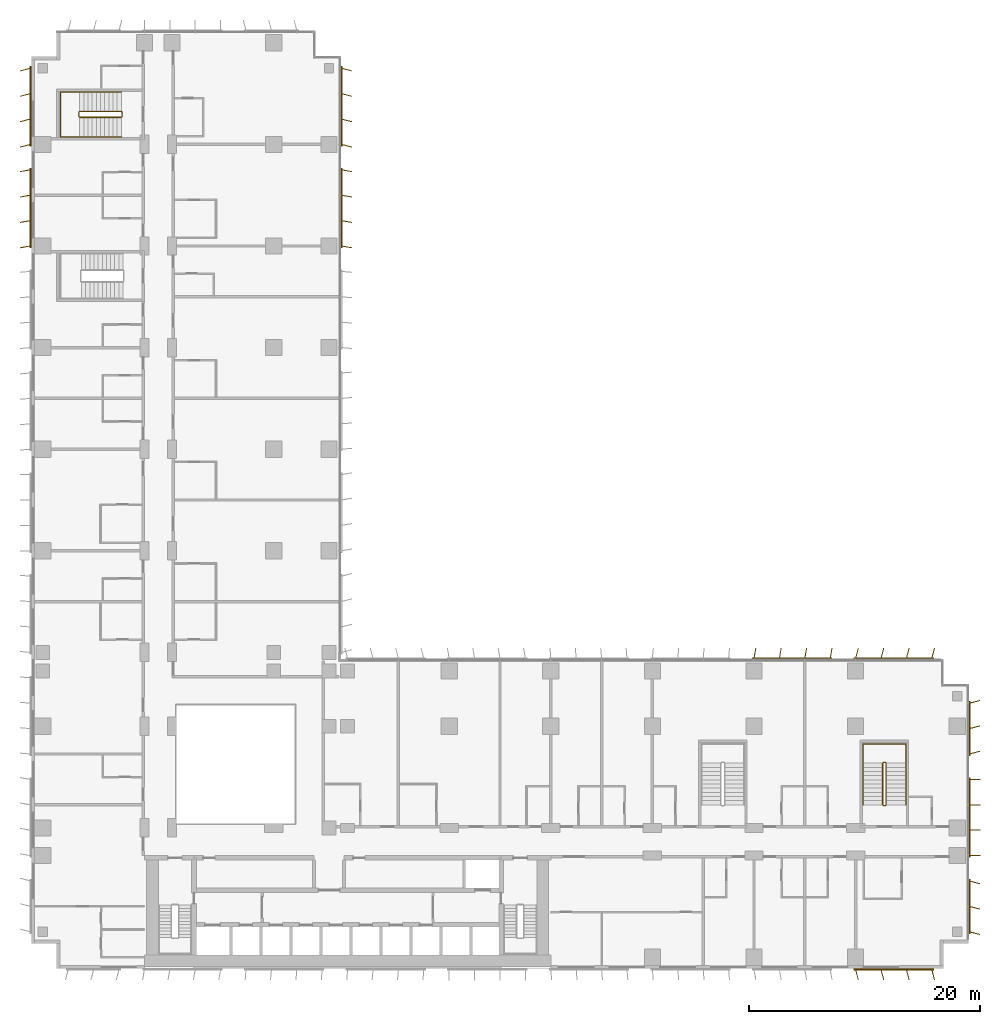
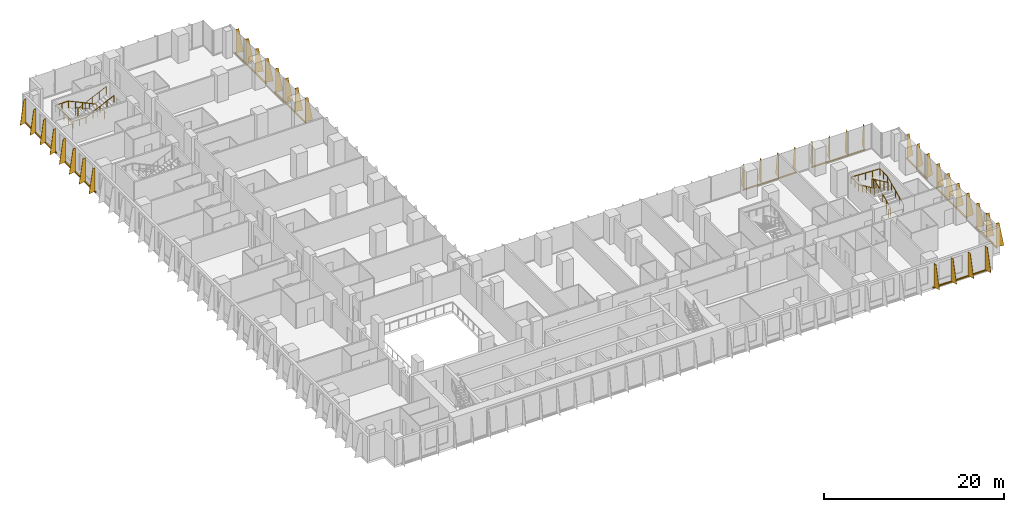
# One storey, part 23 of 24: 10 shading devices, 4 railings.
"""IFC4 building model written with IfcOpenShell, lengths in metres."""

from ifc_helpers import new_model, si_unit, direction, frame, origin, origin_2d, place, context, subcontext, project, spatial, polyline, rectangle, circle, outline, extrude, source, transform, mapped, material, layer, layer_set, type_object, element, save


model = new_model("IFC4")

# Units and contexts
model_context = context("Model", 3, precision=1e-05, world=origin(), true_north=direction((0.0, 1.0)))
body_context = subcontext(model_context, "Body", "Model", "MODEL_VIEW")
ifc_project = project(units=[si_unit("LENGTHUNIT", "METRE"), si_unit("AREAUNIT", "SQUARE_METRE"), si_unit("VOLUMEUNIT", "CUBIC_METRE"), si_unit("PLANEANGLEUNIT", "RADIAN"), si_unit("MASSUNIT", "GRAM", prefix="KILO")], contexts=[model_context])

# Site, building, storey
site_placement = place(None, origin())
site = spatial("IfcSite", under=ifc_project, at=site_placement, CompositionType="ELEMENT")
building_placement = place(site_placement, origin())
building = spatial("IfcBuilding", under=site, at=building_placement, Name="Kemantara Hotel Tower", CompositionType="ELEMENT")
storey_placement = place(building_placement, frame((0.0, 0.0, 52.5)))
storey = spatial("IfcBuildingStorey", under=building, at=storey_placement, Name="L11", CompositionType="ELEMENT", Elevation=52.5)

# Railings
ifc_material_1 = material(Name="Stainless steel balustrade", Category="steel")
railing_type_1 = type_object("IfcRailingType", Name="Stair guard 1100 mm", PredefinedType="GUARDRAIL", material=ifc_material_1)
railing_1_placement = place(storey_placement, frame((73.75, 14.199951171875, 3.699951171875)))
element("IfcRailing", 1, at=railing_1_placement, inside=storey, type_object=railing_type_1, Name="L11 ST5 stair guard 1", PredefinedType="GUARDRAIL", context=body_context, shape_type="SweptSolid", body=[
    extrude(circle(Radius=0.02392578125, at=origin_2d()), frame((0.0, 0.0, 1.076171875), z_axis=(0.0, 0.906005689286, -0.423265508849), x_axis=(-1.0, 0.0, 0.0)), (0.0, 0.0, 1.0), 3.9736328125),
    extrude(circle(Radius=0.02392578125, at=origin_2d()), frame((0.0, 3.60009765625, -0.60595703125), z_axis=(0.274582412415, 0.274582412415, -0.921525364591), x_axis=(-0.707106781187, 0.707106781187, 0.0)), (0.0, 0.0, 1.0), 0.182373046875),
    extrude(circle(Radius=0.02392578125, at=origin_2d()), frame((0.050048828125, 3.650146484375, -0.77392578125), z_axis=(1.0, 0.0, 0.0), x_axis=(0.0, 1.0, 0.0)), (0.0, 0.0, 1.0), 0.199951171875),
    extrude(circle(Radius=0.02392578125, at=origin_2d()), frame((0.25, 3.650146484375, -0.77392578125), z_axis=(0.707106781187, -0.707106781187, 0.0), x_axis=(0.707106781187, 0.707106781187, 0.0)), (0.0, 0.0, 1.0), 0.07080078125),
    extrude(circle(Radius=0.02392578125, at=origin_2d()), frame((0.300048828125, 3.60009765625, -0.77392578125), z_axis=(0.0, -0.906005689286, -0.423265508849), x_axis=(1.0, 0.0, 0.0)), (0.0, 0.0, 1.0), 3.9736328125),
    extrude(circle(Radius=0.02392578125, at=origin_2d()), frame((0.300048828125, 0.0, -2.45556640625), z_axis=(-0.274243871929, -0.274243871929, -0.92172696468), x_axis=(0.707106781187, -0.707106781187, 0.0)), (0.0, 0.0, 1.0), 0.1826171875),
    extrude(circle(Radius=0.02392578125, at=origin_2d()), frame((0.25, -0.050048828125, -2.6240234375), z_axis=(-1.0, 0.0, 0.0), x_axis=(0.0, -1.0, 0.0)), (0.0, 0.0, 1.0), 0.199951171875),
    extrude(circle(Radius=0.02099609375, at=origin_2d()), origin(), (0.0, 0.0, 1.0), 1.052001953125),
    extrude(circle(Radius=0.02099609375, at=origin_2d()), frame((0.0, 0.89990234375, -0.42041015625)), (0.0, 0.0, 1.0), 1.052001953125),
    extrude(circle(Radius=0.02099609375, at=origin_2d()), frame((0.0, 1.800048828125, -0.8408203125)), (0.0, 0.0, 1.0), 1.052001953125),
    extrude(circle(Radius=0.02099609375, at=origin_2d()), frame((0.0, 2.7001953125, -1.261474609375)), (0.0, 0.0, 1.0), 1.052001953125),
    extrude(circle(Radius=0.02099609375, at=origin_2d()), frame((0.0, 3.60009765625, -1.681884765625)), (0.0, 0.0, 1.0), 1.052001953125),
    extrude(circle(Radius=0.02099609375, at=origin_2d()), frame((0.050048828125, 3.650146484375, -1.849853515625)), (0.0, 0.0, 1.0), 1.052001953125),
    extrude(circle(Radius=0.02099609375, at=origin_2d()), frame((0.25, 3.650146484375, -1.849853515625)), (0.0, 0.0, 1.0), 1.052001953125),
    extrude(circle(Radius=0.02099609375, at=origin_2d()), frame((0.300048828125, 3.60009765625, -1.849853515625)), (0.0, 0.0, 1.0), 1.052001953125),
    extrude(circle(Radius=0.02099609375, at=origin_2d()), frame((0.300048828125, 2.7001953125, -2.270263671875)), (0.0, 0.0, 1.0), 1.052001953125),
    extrude(circle(Radius=0.02099609375, at=origin_2d()), frame((0.300048828125, 1.800048828125, -2.69091796875)), (0.0, 0.0, 1.0), 1.052001953125),
    extrude(circle(Radius=0.02099609375, at=origin_2d()), frame((0.300048828125, 0.89990234375, -3.111328125)), (0.0, 0.0, 1.0), 1.052001953125),
    extrude(circle(Radius=0.02099609375, at=origin_2d()), frame((0.300048828125, 0.0, -3.53173828125)), (0.0, 0.0, 1.0), 1.052001953125),
    extrude(circle(Radius=0.02099609375, at=origin_2d()), frame((0.25, -0.050048828125, -3.699951171875)), (0.0, 0.0, 1.0), 1.052001953125),
    extrude(circle(Radius=0.02099609375, at=origin_2d()), frame((0.050048828125, -0.050048828125, -3.699951171875)), (0.0, 0.0, 1.0), 1.052001953125),
])
railing_2_placement = place(storey_placement, frame((7.800048828125, 73.75, 3.699951171875)))
element("IfcRailing", 2, at=railing_2_placement, inside=storey, type_object=railing_type_1, Name="L11 ST6 stair guard 1", PredefinedType="GUARDRAIL", context=body_context, shape_type="SweptSolid", body=[
    extrude(circle(Radius=0.02392578125, at=origin_2d()), frame((0.0, 0.0, 1.076171875), z_axis=(-0.906005689286, 0.0, -0.423265508849), x_axis=(0.0, -1.0, 0.0)), (0.0, 0.0, 1.0), 3.9736328125),
    extrude(circle(Radius=0.02392578125, at=origin_2d()), frame((-3.60009765625, 0.0, -0.60595703125), z_axis=(-0.274582412415, 0.274582412415, -0.921525364591), x_axis=(-0.707106781187, -0.707106781187, 0.0)), (0.0, 0.0, 1.0), 0.182373046875),
    extrude(circle(Radius=0.02392578125, at=origin_2d()), frame((-3.650146484375, 0.050048828125, -0.77392578125), z_axis=(0.0, 1.0, 0.0), x_axis=(-1.0, 0.0, 0.0)), (0.0, 0.0, 1.0), 0.39990234375),
    extrude(circle(Radius=0.02392578125, at=origin_2d()), frame((-3.650146484375, 0.449951171875, -0.77392578125), z_axis=(0.707106781187, 0.707106781187, 0.0), x_axis=(-0.707106781187, 0.707106781187, 0.0)), (0.0, 0.0, 1.0), 0.07080078125),
    extrude(circle(Radius=0.02392578125, at=origin_2d()), frame((-3.60009765625, 0.5, -0.77392578125), z_axis=(0.906005689286, 0.0, -0.423265508849), x_axis=(0.0, 1.0, 0.0)), (0.0, 0.0, 1.0), 3.9736328125),
    extrude(circle(Radius=0.02392578125, at=origin_2d()), frame((0.0, 0.5, -2.45556640625), z_axis=(0.274243871929, -0.274243871929, -0.92172696468), x_axis=(0.707106781187, 0.707106781187, 0.0)), (0.0, 0.0, 1.0), 0.1826171875),
    extrude(circle(Radius=0.02392578125, at=origin_2d()), frame((0.050048828125, 0.449951171875, -2.6240234375), z_axis=(0.0, -1.0, 0.0), x_axis=(1.0, 0.0, 0.0)), (0.0, 0.0, 1.0), 0.39990234375),
    extrude(circle(Radius=0.02099609375, at=origin_2d()), origin(), (0.0, 0.0, 1.0), 1.052001953125),
    extrude(circle(Radius=0.02099609375, at=origin_2d()), frame((-0.89990234375, 0.0, -0.42041015625)), (0.0, 0.0, 1.0), 1.052001953125),
    extrude(circle(Radius=0.02099609375, at=origin_2d()), frame((-1.800048828125, 0.0, -0.8408203125)), (0.0, 0.0, 1.0), 1.052001953125),
    extrude(circle(Radius=0.02099609375, at=origin_2d()), frame((-2.7001953125, 0.0, -1.261474609375)), (0.0, 0.0, 1.0), 1.052001953125),
    extrude(circle(Radius=0.02099609375, at=origin_2d()), frame((-3.60009765625, 0.0, -1.681884765625)), (0.0, 0.0, 1.0), 1.052001953125),
    extrude(circle(Radius=0.02099609375, at=origin_2d()), frame((-3.650146484375, 0.050048828125, -1.849853515625)), (0.0, 0.0, 1.0), 1.052001953125),
    extrude(circle(Radius=0.02099609375, at=origin_2d()), frame((-3.650146484375, 0.449951171875, -1.849853515625)), (0.0, 0.0, 1.0), 1.052001953125),
    extrude(circle(Radius=0.02099609375, at=origin_2d()), frame((-3.60009765625, 0.5, -1.849853515625)), (0.0, 0.0, 1.0), 1.052001953125),
    extrude(circle(Radius=0.02099609375, at=origin_2d()), frame((-2.7001953125, 0.5, -2.270263671875)), (0.0, 0.0, 1.0), 1.052001953125),
    extrude(circle(Radius=0.02099609375, at=origin_2d()), frame((-1.800048828125, 0.5, -2.69091796875)), (0.0, 0.0, 1.0), 1.052001953125),
    extrude(circle(Radius=0.02099609375, at=origin_2d()), frame((-0.89990234375, 0.5, -3.111328125)), (0.0, 0.0, 1.0), 1.052001953125),
    extrude(circle(Radius=0.02099609375, at=origin_2d()), frame((0.0, 0.5, -3.53173828125)), (0.0, 0.0, 1.0), 1.052001953125),
    extrude(circle(Radius=0.02099609375, at=origin_2d()), frame((0.050048828125, 0.449951171875, -3.699951171875)), (0.0, 0.0, 1.0), 1.052001953125),
    extrude(circle(Radius=0.02099609375, at=origin_2d()), frame((0.050048828125, 0.050048828125, -3.699951171875)), (0.0, 0.0, 1.0), 1.052001953125),
])
railing_type_2 = type_object("IfcRailingType", Name="Stair handrail 900 mm", PredefinedType="HANDRAIL", material=ifc_material_1)
railing_3_placement = place(storey_placement, frame((75.75, 14.199951171875, 0.168212890625)))
element("IfcRailing", 3, at=railing_3_placement, inside=storey, type_object=railing_type_2, Name="L11 ST5 stair handrail 1", PredefinedType="HANDRAIL", context=body_context, shape_type="SweptSolid", body=[
    extrude(circle(Radius=0.02392578125, at=origin_2d()), frame((0.0, 0.0, 0.8759765625), z_axis=(0.0, 0.906005689286, 0.423265508849), x_axis=(-1.0, 0.0, 0.0)), (0.0, 0.0, 1.0), 3.9736328125),
    extrude(circle(Radius=0.02392578125, at=origin_2d()), frame((0.0, 3.60009765625, 2.5576171875), z_axis=(0.0, 1.0, 0.0), x_axis=(-1.0, 0.0, 0.0)), (0.0, 0.0, 1.0), 1.679931640625),
    extrude(circle(Radius=0.02392578125, at=origin_2d()), frame((0.0, 5.280029296875, 2.5576171875), z_axis=(-0.998971120908, 0.0, 0.045350849963), x_axis=(0.0, -1.0, 0.0)), (0.0, 0.0, 1.0), 3.703857421875),
    extrude(circle(Radius=0.02392578125, at=origin_2d()), frame((-3.699951171875, 5.280029296875, 2.7255859375), z_axis=(0.0, -1.0, 0.0), x_axis=(1.0, 0.0, 0.0)), (0.0, 0.0, 1.0), 1.679931640625),
    extrude(circle(Radius=0.02392578125, at=origin_2d()), frame((-3.699951171875, 3.60009765625, 2.7255859375), z_axis=(0.0, -0.906005689286, 0.423265508849), x_axis=(1.0, 0.0, 0.0)), (0.0, 0.0, 1.0), 3.9736328125),
    extrude(circle(Radius=0.02099609375, at=origin_2d()), origin(), (0.0, 0.0, 1.0), 0.851806640625),
    extrude(circle(Radius=0.02099609375, at=origin_2d()), frame((0.0, 0.89990234375, 0.42041015625)), (0.0, 0.0, 1.0), 0.851806640625),
    extrude(circle(Radius=0.02099609375, at=origin_2d()), frame((0.0, 1.800048828125, 0.8408203125)), (0.0, 0.0, 1.0), 0.851806640625),
    extrude(circle(Radius=0.02099609375, at=origin_2d()), frame((0.0, 2.7001953125, 1.261474609375)), (0.0, 0.0, 1.0), 0.851806640625),
    extrude(circle(Radius=0.02099609375, at=origin_2d()), frame((0.0, 3.60009765625, 1.681884765625)), (0.0, 0.0, 1.0), 0.851806640625),
    extrude(circle(Radius=0.02099609375, at=origin_2d()), frame((0.0, 4.43994140625, 1.681884765625)), (0.0, 0.0, 1.0), 0.851806640625),
    extrude(circle(Radius=0.02099609375, at=origin_2d()), frame((0.0, 5.280029296875, 1.681884765625)), (0.0, 0.0, 1.0), 0.851806640625),
    extrude(circle(Radius=0.02099609375, at=origin_2d()), frame((-0.925048828125, 5.280029296875, 1.723876953125)), (0.0, 0.0, 1.0), 0.851806640625),
    extrude(circle(Radius=0.02099609375, at=origin_2d()), frame((-1.85009765625, 5.280029296875, 1.765869140625)), (0.0, 0.0, 1.0), 0.851806640625),
    extrude(circle(Radius=0.02099609375, at=origin_2d()), frame((-2.77490234375, 5.280029296875, 1.807861328125)), (0.0, 0.0, 1.0), 0.851806640625),
    extrude(circle(Radius=0.02099609375, at=origin_2d()), frame((-3.699951171875, 5.280029296875, 1.849853515625)), (0.0, 0.0, 1.0), 0.851806640625),
    extrude(circle(Radius=0.02099609375, at=origin_2d()), frame((-3.699951171875, 4.43994140625, 1.849853515625)), (0.0, 0.0, 1.0), 0.851806640625),
    extrude(circle(Radius=0.02099609375, at=origin_2d()), frame((-3.699951171875, 3.60009765625, 1.849853515625)), (0.0, 0.0, 1.0), 0.851806640625),
    extrude(circle(Radius=0.02099609375, at=origin_2d()), frame((-3.699951171875, 2.7001953125, 2.270263671875)), (0.0, 0.0, 1.0), 0.851806640625),
    extrude(circle(Radius=0.02099609375, at=origin_2d()), frame((-3.699951171875, 1.800048828125, 2.69091796875)), (0.0, 0.0, 1.0), 0.851806640625),
    extrude(circle(Radius=0.02099609375, at=origin_2d()), frame((-3.699951171875, 0.89990234375, 3.111328125)), (0.0, 0.0, 1.0), 0.851806640625),
    extrude(circle(Radius=0.02099609375, at=origin_2d()), frame((-3.699951171875, 0.0, 3.53173828125)), (0.0, 0.0, 1.0), 0.851806640625),
])
railing_4_placement = place(storey_placement, frame((7.800048828125, 75.949951171875, 0.168212890625)))
element("IfcRailing", 4, at=railing_4_placement, inside=storey, type_object=railing_type_2, Name="L11 ST6 stair handrail 1", PredefinedType="HANDRAIL", context=body_context, shape_type="SweptSolid", body=[
    extrude(circle(Radius=0.02392578125, at=origin_2d()), frame((0.0, 0.0, 0.8759765625), z_axis=(-0.906005689286, 0.0, 0.423265508849), x_axis=(0.0, -1.0, 0.0)), (0.0, 0.0, 1.0), 3.9736328125),
    extrude(circle(Radius=0.02392578125, at=origin_2d()), frame((-3.60009765625, 0.0, 2.5576171875), z_axis=(-1.0, 0.0, 0.0), x_axis=(0.0, -1.0, 0.0)), (0.0, 0.0, 1.0), 1.679931640625),
    extrude(circle(Radius=0.02392578125, at=origin_2d()), frame((-5.280029296875, 0.0, 2.5576171875), z_axis=(0.0, -0.999073776461, 0.043030096294), x_axis=(1.0, 0.0, 0.0)), (0.0, 0.0, 1.0), 3.903564453125),
    extrude(circle(Radius=0.02392578125, at=origin_2d()), frame((-5.280029296875, -3.89990234375, 2.7255859375), z_axis=(1.0, 0.0, 0.0), x_axis=(0.0, 1.0, 0.0)), (0.0, 0.0, 1.0), 1.679931640625),
    extrude(circle(Radius=0.02392578125, at=origin_2d()), frame((-3.60009765625, -3.89990234375, 2.7255859375), z_axis=(0.906005689286, 0.0, 0.423265508849), x_axis=(0.0, 1.0, 0.0)), (0.0, 0.0, 1.0), 3.9736328125),
    extrude(circle(Radius=0.02099609375, at=origin_2d()), origin(), (0.0, 0.0, 1.0), 0.851806640625),
    extrude(circle(Radius=0.02099609375, at=origin_2d()), frame((-0.89990234375, 0.0, 0.42041015625)), (0.0, 0.0, 1.0), 0.851806640625),
    extrude(circle(Radius=0.02099609375, at=origin_2d()), frame((-1.800048828125, 0.0, 0.8408203125)), (0.0, 0.0, 1.0), 0.851806640625),
    extrude(circle(Radius=0.02099609375, at=origin_2d()), frame((-2.7001953125, 0.0, 1.261474609375)), (0.0, 0.0, 1.0), 0.851806640625),
    extrude(circle(Radius=0.02099609375, at=origin_2d()), frame((-3.60009765625, 0.0, 1.681884765625)), (0.0, 0.0, 1.0), 0.851806640625),
    extrude(circle(Radius=0.02099609375, at=origin_2d()), frame((-4.43994140625, 0.0, 1.681884765625)), (0.0, 0.0, 1.0), 0.851806640625),
    extrude(circle(Radius=0.02099609375, at=origin_2d()), frame((-5.280029296875, 0.0, 1.681884765625)), (0.0, 0.0, 1.0), 0.851806640625),
    extrude(circle(Radius=0.02099609375, at=origin_2d()), frame((-5.280029296875, -0.97509765625, 1.723876953125)), (0.0, 0.0, 1.0), 0.851806640625),
    extrude(circle(Radius=0.02099609375, at=origin_2d()), frame((-5.280029296875, -1.949951171875, 1.765869140625)), (0.0, 0.0, 1.0), 0.851806640625),
    extrude(circle(Radius=0.02099609375, at=origin_2d()), frame((-5.280029296875, -2.9248046875, 1.807861328125)), (0.0, 0.0, 1.0), 0.851806640625),
    extrude(circle(Radius=0.02099609375, at=origin_2d()), frame((-5.280029296875, -3.89990234375, 1.849853515625)), (0.0, 0.0, 1.0), 0.851806640625),
    extrude(circle(Radius=0.02099609375, at=origin_2d()), frame((-4.43994140625, -3.89990234375, 1.849853515625)), (0.0, 0.0, 1.0), 0.851806640625),
    extrude(circle(Radius=0.02099609375, at=origin_2d()), frame((-3.60009765625, -3.89990234375, 1.849853515625)), (0.0, 0.0, 1.0), 0.851806640625),
    extrude(circle(Radius=0.02099609375, at=origin_2d()), frame((-2.7001953125, -3.89990234375, 2.270263671875)), (0.0, 0.0, 1.0), 0.851806640625),
    extrude(circle(Radius=0.02099609375, at=origin_2d()), frame((-1.800048828125, -3.89990234375, 2.69091796875)), (0.0, 0.0, 1.0), 0.851806640625),
    extrude(circle(Radius=0.02099609375, at=origin_2d()), frame((-0.89990234375, -3.89990234375, 3.111328125)), (0.0, 0.0, 1.0), 0.851806640625),
    extrude(circle(Radius=0.02099609375, at=origin_2d()), frame((0.0, -3.89990234375, 3.53173828125)), (0.0, 0.0, 1.0), 0.851806640625),
])

# Shading devices
ifc_material_2 = material(Name="Perforated aluminium plate 4 mm bronze anodised", Category="aluminium")
ifc_layer_1 = layer(ifc_material_2, 0.0400390625)
ifc_layer_set_1 = layer_set([ifc_layer_1], Name="Perforated aluminium plate 4 mm bronze anodised")
shading_device_type_1 = type_object("IfcShadingDeviceType", Name="SCREEN FIN CASSETTE, 3 BLADES AT -15.0 DEG, 3200 HIGH", PredefinedType="USERDEFINED", material=ifc_layer_set_1)
shared_shape_1 = source(origin(), body_context, "Body", "SweptSolid", [
    extrude(rectangle(XDim=4.699951171875, YDim=0.14990234375, at=origin_2d()), frame((2.199951171875, -0.074951171875, -0.14990234375), z_axis=(0.0, 0.0, 1.0), x_axis=(1.0, 0.0, 0.0)), (0.0, 0.0, 1.0), 0.14990234375),
    extrude(outline(polyline([(0.0, 0.0), (0.89990234375, 0.0), (0.35009765625, 3.199951171875), (0.0, 3.199951171875), (0.0, 0.0)])), frame((0.019287109375, -0.080078125, 0.0), z_axis=(-0.966437683387, 0.256901156343, 0.0), x_axis=(-0.256901156343, -0.966437683387, 0.0)), (0.0, 0.0, 1.0), 0.039794921875),
    extrude(outline(polyline([(0.0, 0.0), (0.89990234375, 0.0), (0.35009765625, 3.199951171875), (0.0, 3.199951171875), (0.0, 0.0)])), frame((2.21923828125, -0.080078125, 0.0), z_axis=(-0.966437683387, 0.256901156343, 0.0), x_axis=(-0.256901156343, -0.966437683387, 0.0)), (0.0, 0.0, 1.0), 0.039794921875),
    extrude(outline(polyline([(0.0, 0.0), (0.89990234375, 0.0), (0.35009765625, 3.199951171875), (0.0, 3.199951171875), (0.0, 0.0)])), frame((4.41943359375, -0.080078125, 0.0), z_axis=(-0.966837822169, 0.255391122837, 0.0), x_axis=(-0.255391122837, -0.966837822169, 0.0)), (0.0, 0.0, 1.0), 0.0400390625),
])
shading_device_1_placement = place(storey_placement, frame((81.199951171875, 3.199951171875, 0.10009765625), z_axis=(0.0, 0.0, 1.0), x_axis=(0.0, 1.0, 0.0)))
element("IfcShadingDevice", 5, at=shading_device_1_placement, inside=storey, type_object=shading_device_type_1, Name="SCREEN FIN CASSETTE L11 T1-R04-1", ObjectType="SCREEN FIN", PredefinedType="USERDEFINED", context=body_context, shape_type="MappedRepresentation", body=[
    mapped(shared_shape_1, transform((0.0, 0.0, 0.0))),
])
ifc_layer_2 = layer(ifc_material_2, 0.0400390625)
ifc_layer_set_2 = layer_set([ifc_layer_2], Name="Perforated aluminium plate 4 mm bronze anodised")
shading_device_type_2 = type_object("IfcShadingDeviceType", Name="SCREEN FIN CASSETTE, 4 BLADES AT -10.0 DEG, 3200 HIGH", PredefinedType="USERDEFINED", material=ifc_layer_set_2)
shared_shape_2 = source(origin(), body_context, "Body", "SweptSolid", [
    extrude(rectangle(XDim=6.89990234375, YDim=0.14990234375, at=origin_2d()), frame((3.300048828125, -0.074951171875, -0.14990234375), z_axis=(0.0, 0.0, 1.0), x_axis=(1.0, 0.0, 0.0)), (0.0, 0.0, 1.0), 0.14990234375),
    extrude(outline(polyline([(0.0, 0.0), (0.89990234375, 0.0), (0.35009765625, 3.199951171875), (0.0, 3.199951171875), (0.0, 0.0)])), frame((0.019775390625, -0.078369140625, 0.0), z_axis=(-0.985389793052, 0.170314285219, 0.0), x_axis=(-0.170314285219, -0.985389793052, 0.0)), (0.0, 0.0, 1.0), 0.0400390625),
    extrude(outline(polyline([(0.0, 0.0), (0.89990234375, 0.0), (0.35009765625, 3.199951171875), (0.0, 3.199951171875), (0.0, 0.0)])), frame((2.2197265625, -0.078369140625, 0.0), z_axis=(-0.98521175482, 0.171341174751, 0.0), x_axis=(-0.171341174751, -0.98521175482, 0.0)), (0.0, 0.0, 1.0), 0.039794921875),
    extrude(outline(polyline([(0.0, 0.0), (0.89990234375, 0.0), (0.35009765625, 3.199951171875), (0.0, 3.199951171875), (0.0, 0.0)])), frame((4.419677734375, -0.078369140625, 0.0), z_axis=(-0.98521175482, 0.171341174751, 0.0), x_axis=(-0.171341174751, -0.98521175482, 0.0)), (0.0, 0.0, 1.0), 0.039794921875),
    extrude(outline(polyline([(0.0, 0.0), (0.89990234375, 0.0), (0.35009765625, 3.199951171875), (0.0, 3.199951171875), (0.0, 0.0)])), frame((6.61962890625, -0.078369140625, 0.0), z_axis=(-0.98521175482, 0.171341174751, 0.0), x_axis=(-0.171341174751, -0.98521175482, 0.0)), (0.0, 0.0, 1.0), 0.039794921875),
])
for number, where, z_axis, x_axis, name in (
    (6, (69.199951171875, 26.800048828125, 0.10009765625), (0.0, 0.0, 1.0), (-1.0, 0.0, 0.0), "SCREEN FIN CASSETTE L11 T1-R07-2"),
    (7, (26.800048828125, 62.60009765625, 0.10009765625), (0.0, 0.0, 1.0), (0.0, 1.0, 0.0), "SCREEN FIN CASSETTE L11 T1-R08-5"),
):
    element("IfcShadingDevice", number, at=place(storey_placement, frame(where, z_axis=z_axis, x_axis=x_axis)), inside=storey, type_object=shading_device_type_2, Name=name, ObjectType="SCREEN FIN", PredefinedType="USERDEFINED", context=body_context, shape_type="MappedRepresentation", body=[
        mapped(shared_shape_2, transform((0.0, 0.0, 0.0))),
    ])
ifc_layer_3 = layer(ifc_material_2, 0.0400390625)
ifc_layer_set_3 = layer_set([ifc_layer_3], Name="Perforated aluminium plate 4 mm bronze anodised")
shading_device_type_3 = type_object("IfcShadingDeviceType", Name="SCREEN FIN CASSETTE, 4 BLADES AT +0.0 DEG, 3200 HIGH", PredefinedType="USERDEFINED", material=ifc_layer_set_3)
shared_shape_3 = source(origin(), body_context, "Body", "SweptSolid", [
    extrude(rectangle(XDim=6.89990234375, YDim=0.14990234375, at=origin_2d()), frame((3.300048828125, -0.074951171875, -0.14990234375), z_axis=(0.0, 0.0, 1.0), x_axis=(1.0, 0.0, 0.0)), (0.0, 0.0, 1.0), 0.14990234375),
    extrude(outline(polyline([(0.0, 0.0), (0.89990234375, 0.0), (0.35009765625, 3.199951171875), (0.0, 3.199951171875), (0.0, 0.0)])), frame((0.02001953125, -0.074951171875, 0.0), z_axis=(-1.0, 0.0, 0.0), x_axis=(0.0, -1.0, 0.0)), (0.0, 0.0, 1.0), 0.0400390625),
    extrude(outline(polyline([(0.0, 0.0), (0.89990234375, 0.0), (0.35009765625, 3.199951171875), (0.0, 3.199951171875), (0.0, 0.0)])), frame((2.219970703125, -0.074951171875, 0.0), z_axis=(-1.0, 0.0, 0.0), x_axis=(0.0, -1.0, 0.0)), (0.0, 0.0, 1.0), 0.0400390625),
    extrude(outline(polyline([(0.0, 0.0), (0.89990234375, 0.0), (0.35009765625, 3.199951171875), (0.0, 3.199951171875), (0.0, 0.0)])), frame((4.419921875, -0.074951171875, 0.0), z_axis=(-1.0, 0.0, 0.0), x_axis=(0.0, -1.0, 0.0)), (0.0, 0.0, 1.0), 0.0400390625),
    extrude(outline(polyline([(0.0, 0.0), (0.89990234375, 0.0), (0.35009765625, 3.199951171875), (0.0, 3.199951171875), (0.0, 0.0)])), frame((6.6201171875, -0.074951171875, 0.0), z_axis=(-1.0, 0.0, 0.0), x_axis=(0.0, -1.0, 0.0)), (0.0, 0.0, 1.0), 0.0400390625),
])
shading_device_2_placement = place(storey_placement, frame((81.199951171875, 9.800048828125, 0.10009765625), z_axis=(0.0, 0.0, 1.0), x_axis=(0.0, 1.0, 0.0)))
element("IfcShadingDevice", 8, at=shading_device_2_placement, inside=storey, type_object=shading_device_type_3, Name="SCREEN FIN CASSETTE L11 T1-R04-2", ObjectType="SCREEN FIN", PredefinedType="USERDEFINED", context=body_context, shape_type="MappedRepresentation", body=[
    mapped(shared_shape_3, transform((0.0, 0.0, 0.0))),
])
ifc_layer_4 = layer(ifc_material_2, 0.0400390625)
ifc_layer_set_4 = layer_set([ifc_layer_4], Name="Perforated aluminium plate 4 mm bronze anodised")
shading_device_type_4 = type_object("IfcShadingDeviceType", Name="SCREEN FIN CASSETTE, 4 BLADES AT +10.0 DEG, 3200 HIGH", PredefinedType="USERDEFINED", material=ifc_layer_set_4)
shared_shape_4 = source(origin(), body_context, "Body", "SweptSolid", [
    extrude(rectangle(XDim=6.89990234375, YDim=0.14990234375, at=origin_2d()), frame((3.300048828125, -0.074951171875, -0.14990234375), z_axis=(0.0, 0.0, 1.0), x_axis=(1.0, 0.0, 0.0)), (0.0, 0.0, 1.0), 0.14990234375),
    extrude(outline(polyline([(0.0, 0.0), (0.89990234375, 0.0), (0.35009765625, 3.199951171875), (0.0, 3.199951171875), (0.0, 0.0)])), frame((0.019775390625, -0.071533203125, 0.0), z_axis=(-0.985389793052, -0.170314285219, 0.0), x_axis=(0.170314285219, -0.985389793052, 0.0)), (0.0, 0.0, 1.0), 0.0400390625),
    extrude(outline(polyline([(0.0, 0.0), (0.89990234375, 0.0), (0.35009765625, 3.199951171875), (0.0, 3.199951171875), (0.0, 0.0)])), frame((2.2197265625, -0.071533203125, 0.0), z_axis=(-0.98521175482, -0.171341174751, 0.0), x_axis=(0.171341174751, -0.98521175482, 0.0)), (0.0, 0.0, 1.0), 0.039794921875),
    extrude(outline(polyline([(0.0, 0.0), (0.89990234375, 0.0), (0.35009765625, 3.199951171875), (0.0, 3.199951171875), (0.0, 0.0)])), frame((4.419677734375, -0.071533203125, 0.0), z_axis=(-0.98521175482, -0.171341174751, 0.0), x_axis=(0.171341174751, -0.98521175482, 0.0)), (0.0, 0.0, 1.0), 0.039794921875),
    extrude(outline(polyline([(0.0, 0.0), (0.89990234375, 0.0), (0.35009765625, 3.199951171875), (0.0, 3.199951171875), (0.0, 0.0)])), frame((6.61962890625, -0.071533203125, 0.0), z_axis=(-0.98521175482, -0.171341174751, 0.0), x_axis=(0.171341174751, -0.98521175482, 0.0)), (0.0, 0.0, 1.0), 0.039794921875),
])
shading_device_3_placement = place(storey_placement, frame((0.0, 69.199951171875, 0.10009765625), z_axis=(0.0, 0.0, 1.0), x_axis=(0.0, -1.0, 0.0)))
element("IfcShadingDevice", 9, at=shading_device_3_placement, inside=storey, type_object=shading_device_type_4, Name="SCREEN FIN CASSETTE L11 T1-R14-2", ObjectType="SCREEN FIN", PredefinedType="USERDEFINED", context=body_context, shape_type="MappedRepresentation", body=[
    mapped(shared_shape_4, transform((0.0, 0.0, 0.0))),
])
ifc_layer_5 = layer(ifc_material_2, 0.0400390625)
ifc_layer_set_5 = layer_set([ifc_layer_5], Name="Perforated aluminium plate 4 mm bronze anodised")
shading_device_type_5 = type_object("IfcShadingDeviceType", Name="SCREEN FIN CASSETTE, 4 BLADES AT +15.0 DEG, 3200 HIGH", PredefinedType="USERDEFINED", material=ifc_layer_set_5)
shared_shape_5 = source(origin(), body_context, "Body", "SweptSolid", [
    extrude(rectangle(XDim=6.89990234375, YDim=0.14990234375, at=origin_2d()), frame((3.300048828125, -0.074951171875, -0.14990234375), z_axis=(0.0, 0.0, 1.0), x_axis=(1.0, 0.0, 0.0)), (0.0, 0.0, 1.0), 0.14990234375),
    extrude(outline(polyline([(0.0, 0.0), (0.89990234375, 0.0), (0.35009765625, 3.199951171875), (0.0, 3.199951171875), (0.0, 0.0)])), frame((0.019287109375, -0.06982421875, 0.0), z_axis=(-0.966437683387, -0.256901156343, 0.0), x_axis=(0.256901156343, -0.966437683387, 0.0)), (0.0, 0.0, 1.0), 0.039794921875),
    extrude(outline(polyline([(0.0, 0.0), (0.89990234375, 0.0), (0.35009765625, 3.199951171875), (0.0, 3.199951171875), (0.0, 0.0)])), frame((2.21923828125, -0.06982421875, 0.0), z_axis=(-0.966437683387, -0.256901156343, 0.0), x_axis=(0.256901156343, -0.966437683387, 0.0)), (0.0, 0.0, 1.0), 0.039794921875),
    extrude(outline(polyline([(0.0, 0.0), (0.89990234375, 0.0), (0.35009765625, 3.199951171875), (0.0, 3.199951171875), (0.0, 0.0)])), frame((4.41943359375, -0.06982421875, 0.0), z_axis=(-0.966837822169, -0.255391122837, 0.0), x_axis=(0.255391122837, -0.966837822169, 0.0)), (0.0, 0.0, 1.0), 0.0400390625),
    extrude(outline(polyline([(0.0, 0.0), (0.89990234375, 0.0), (0.35009765625, 3.199951171875), (0.0, 3.199951171875), (0.0, 0.0)])), frame((6.619384765625, -0.06982421875, 0.0), z_axis=(-0.966837822169, -0.255391122837, 0.0), x_axis=(0.255391122837, -0.966837822169, 0.0)), (0.0, 0.0, 1.0), 0.0400390625),
])
for number, where, z_axis, x_axis, name in (
    (10, (71.39990234375, 0.0, 0.10009765625), (0.0, 0.0, 1.0), (1.0, 0.0, 0.0), "SCREEN FIN CASSETTE L11 T1-R01-9"),
    (11, (0.0, 78.0, 0.10009765625), (0.0, 0.0, 1.0), (0.0, -1.0, 0.0), "SCREEN FIN CASSETTE L11 T1-R14-1"),
):
    element("IfcShadingDevice", number, at=place(storey_placement, frame(where, z_axis=z_axis, x_axis=x_axis)), inside=storey, type_object=shading_device_type_5, Name=name, ObjectType="SCREEN FIN", PredefinedType="USERDEFINED", context=body_context, shape_type="MappedRepresentation", body=[
        mapped(shared_shape_5, transform((0.0, 0.0, 0.0))),
    ])
ifc_layer_6 = layer(ifc_material_2, 0.0400390625)
ifc_layer_set_6 = layer_set([ifc_layer_6], Name="Perforated aluminium plate 4 mm bronze anodised")
shading_device_type_6 = type_object("IfcShadingDeviceType", Name="SCREEN FIN CASSETTE, 3 BLADES AT +15.0 DEG, 3200 HIGH", PredefinedType="USERDEFINED", material=ifc_layer_set_6)
shared_shape_6 = source(origin(), body_context, "Body", "SweptSolid", [
    extrude(rectangle(XDim=4.699951171875, YDim=0.14990234375, at=origin_2d()), frame((2.199951171875, -0.074951171875, -0.14990234375), z_axis=(0.0, 0.0, 1.0), x_axis=(1.0, 0.0, 0.0)), (0.0, 0.0, 1.0), 0.14990234375),
    extrude(outline(polyline([(0.0, 0.0), (0.89990234375, 0.0), (0.35009765625, 3.199951171875), (0.0, 3.199951171875), (0.0, 0.0)])), frame((0.019287109375, -0.06982421875, 0.0), z_axis=(-0.966437683387, -0.256901156343, 0.0), x_axis=(0.256901156343, -0.966437683387, 0.0)), (0.0, 0.0, 1.0), 0.039794921875),
    extrude(outline(polyline([(0.0, 0.0), (0.89990234375, 0.0), (0.35009765625, 3.199951171875), (0.0, 3.199951171875), (0.0, 0.0)])), frame((2.21923828125, -0.06982421875, 0.0), z_axis=(-0.966437683387, -0.256901156343, 0.0), x_axis=(0.256901156343, -0.966437683387, 0.0)), (0.0, 0.0, 1.0), 0.039794921875),
    extrude(outline(polyline([(0.0, 0.0), (0.89990234375, 0.0), (0.35009765625, 3.199951171875), (0.0, 3.199951171875), (0.0, 0.0)])), frame((4.41943359375, -0.06982421875, 0.0), z_axis=(-0.966837822169, -0.255391122837, 0.0), x_axis=(0.255391122837, -0.966837822169, 0.0)), (0.0, 0.0, 1.0), 0.0400390625),
])
shading_device_4_placement = place(storey_placement, frame((81.199951171875, 18.60009765625, 0.10009765625), z_axis=(0.0, 0.0, 1.0), x_axis=(0.0, 1.0, 0.0)))
element("IfcShadingDevice", 12, at=shading_device_4_placement, inside=storey, type_object=shading_device_type_6, Name="SCREEN FIN CASSETTE L11 T1-R04-3", ObjectType="SCREEN FIN", PredefinedType="USERDEFINED", context=body_context, shape_type="MappedRepresentation", body=[
    mapped(shared_shape_6, transform((0.0, 0.0, 0.0))),
])
ifc_layer_7 = layer(ifc_material_2, 0.0400390625)
ifc_layer_set_7 = layer_set([ifc_layer_7], Name="Perforated aluminium plate 4 mm bronze anodised")
shading_device_type_7 = type_object("IfcShadingDeviceType", Name="SCREEN FIN CASSETTE, 4 BLADES AT -15.0 DEG, 3200 HIGH", PredefinedType="USERDEFINED", material=ifc_layer_set_7)
shared_shape_7 = source(origin(), body_context, "Body", "SweptSolid", [
    extrude(rectangle(XDim=6.89990234375, YDim=0.14990234375, at=origin_2d()), frame((3.300048828125, -0.074951171875, -0.14990234375), z_axis=(0.0, 0.0, 1.0), x_axis=(1.0, 0.0, 0.0)), (0.0, 0.0, 1.0), 0.14990234375),
    extrude(outline(polyline([(0.0, 0.0), (0.89990234375, 0.0), (0.35009765625, 3.199951171875), (0.0, 3.199951171875), (0.0, 0.0)])), frame((0.019287109375, -0.080078125, 0.0), z_axis=(-0.966437683387, 0.256901156343, 0.0), x_axis=(-0.256901156343, -0.966437683387, 0.0)), (0.0, 0.0, 1.0), 0.039794921875),
    extrude(outline(polyline([(0.0, 0.0), (0.89990234375, 0.0), (0.35009765625, 3.199951171875), (0.0, 3.199951171875), (0.0, 0.0)])), frame((2.21923828125, -0.080078125, 0.0), z_axis=(-0.966437683387, 0.256901156343, 0.0), x_axis=(-0.256901156343, -0.966437683387, 0.0)), (0.0, 0.0, 1.0), 0.039794921875),
    extrude(outline(polyline([(0.0, 0.0), (0.89990234375, 0.0), (0.35009765625, 3.199951171875), (0.0, 3.199951171875), (0.0, 0.0)])), frame((4.41943359375, -0.080078125, 0.0), z_axis=(-0.966837822169, 0.255391122837, 0.0), x_axis=(-0.255391122837, -0.966837822169, 0.0)), (0.0, 0.0, 1.0), 0.0400390625),
    extrude(outline(polyline([(0.0, 0.0), (0.89990234375, 0.0), (0.35009765625, 3.199951171875), (0.0, 3.199951171875), (0.0, 0.0)])), frame((6.619384765625, -0.080078125, 0.0), z_axis=(-0.966837822169, 0.255391122837, 0.0), x_axis=(-0.255391122837, -0.966837822169, 0.0)), (0.0, 0.0, 1.0), 0.0400390625),
])
for number, where, z_axis, x_axis, name in (
    (13, (78.0, 26.800048828125, 0.10009765625), (0.0, 0.0, 1.0), (-1.0, 0.0, 0.0), "SCREEN FIN CASSETTE L11 T1-R07-1"),
    (14, (26.800048828125, 71.39990234375, 0.10009765625), (0.0, 0.0, 1.0), (0.0, 1.0, 0.0), "SCREEN FIN CASSETTE L11 T1-R08-6"),
):
    element("IfcShadingDevice", number, at=place(storey_placement, frame(where, z_axis=z_axis, x_axis=x_axis)), inside=storey, type_object=shading_device_type_7, Name=name, ObjectType="SCREEN FIN", PredefinedType="USERDEFINED", context=body_context, shape_type="MappedRepresentation", body=[
        mapped(shared_shape_7, transform((0.0, 0.0, 0.0))),
    ])

save(model, "model.ifc")
